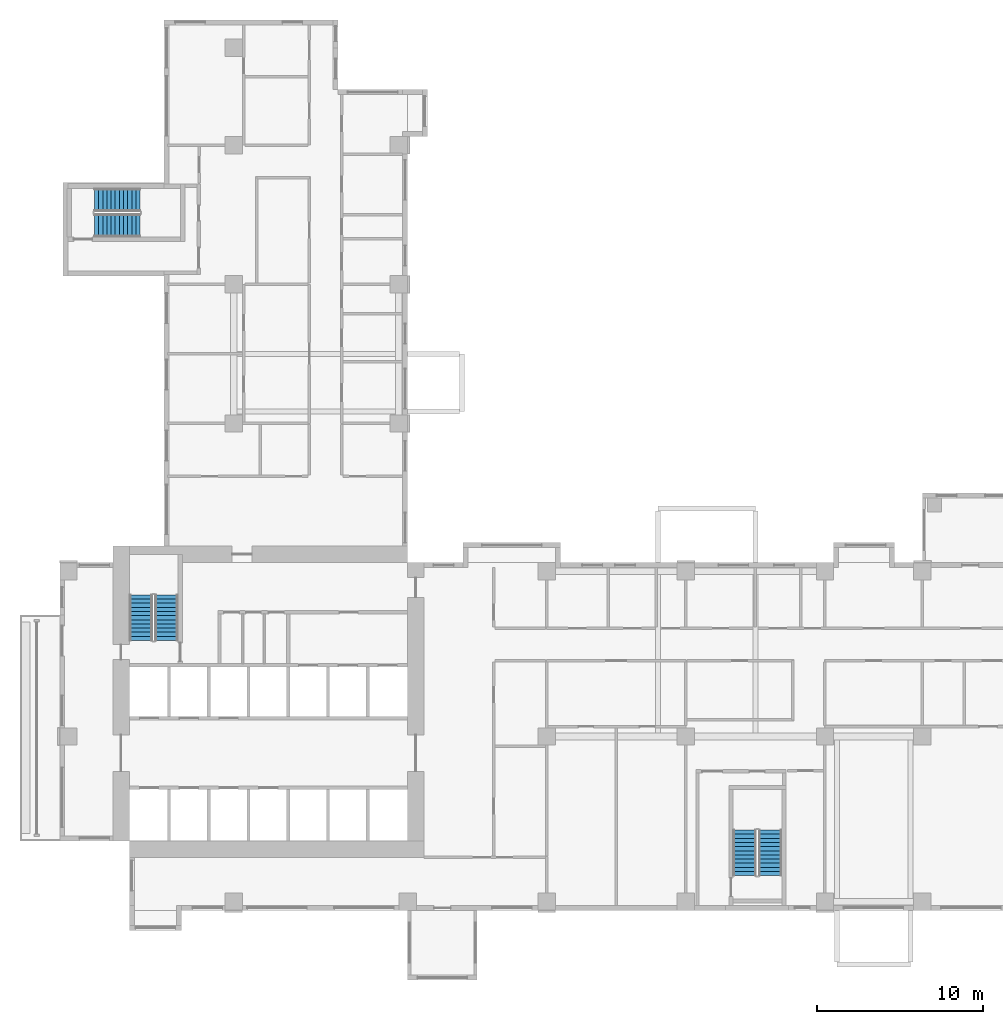
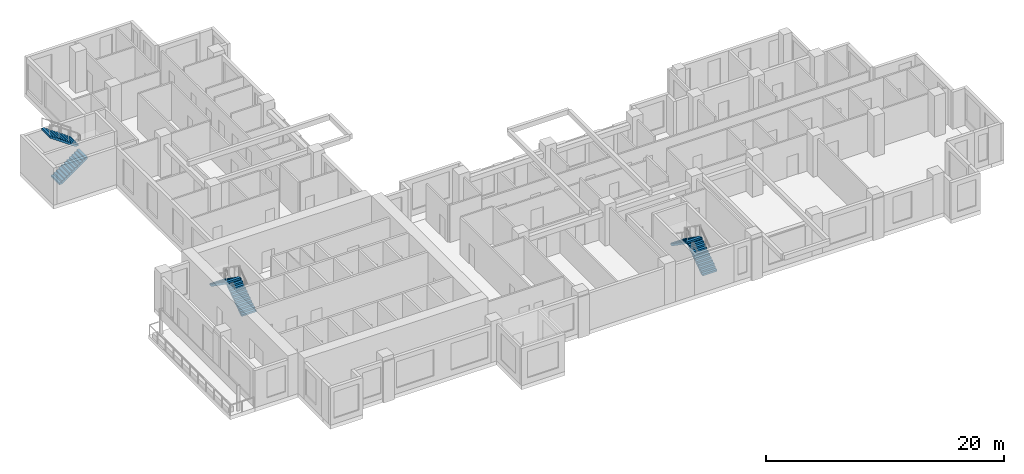
# One storey, part 9 of 14: 6 stair flights, 3 elements without a shape of their own.
"""IFC4 building model written with IfcOpenShell, lengths in metres."""

from ifc_helpers import new_model, si_unit, direction, frame, origin, place, context, subcontext, project, spatial, polyline, outline, extrude, source, transform, mapped, material, type_object, element, aggregate, save


model = new_model("IFC4")

# Units and contexts
model_context = context("Model", 3, precision=1e-05, world=origin(), true_north=direction((0.0, 1.0)))
body_context = subcontext(model_context, "Body", "Model", "MODEL_VIEW")
ifc_project = project(units=[si_unit("LENGTHUNIT", "METRE"), si_unit("AREAUNIT", "SQUARE_METRE"), si_unit("VOLUMEUNIT", "CUBIC_METRE"), si_unit("PLANEANGLEUNIT", "RADIAN"), si_unit("MASSUNIT", "GRAM", prefix="KILO")], contexts=[model_context])

# Site, building, storey
site_placement = place(None, origin())
site = spatial("IfcSite", under=ifc_project, at=site_placement, CompositionType="ELEMENT")
building_placement = place(site_placement, origin())
building = spatial("IfcBuilding", under=site, at=building_placement, Name="Aurelian Terraces", CompositionType="ELEMENT")
storey_placement = place(building_placement, frame((0.0, 0.0, 116.1)))
storey = spatial("IfcBuildingStorey", under=building, at=storey_placement, Name="L25", CompositionType="ELEMENT", Elevation=116.1)

# Stair, stair flights
ifc_material = material(Name="Concrete fc' 40 MPa", Category="concrete")
stair_type = type_object("IfcStairType", Name="Stair 1400", PredefinedType="HALF_TURN_STAIR", material=ifc_material)
stair_1_placement = place(storey_placement, origin())
stair_1 = element("IfcStair", 1, at=stair_1_placement, inside=storey, type_object=stair_type, Name="L25 S1", PredefinedType="HALF_TURN_STAIR")
stair_flight_type = type_object("IfcStairFlightType", Name="Stair flight 1400", PredefinedType="STRAIGHT", material=ifc_material)
shared_shape = source(origin(), body_context, "Body", "SweptSolid", [
    extrude(outline(polyline([(0.0, 0.0), (0.0, 0.175), (0.25, 0.175), (0.25, 0.35), (0.5, 0.35), (0.5, 0.525), (0.75, 0.525), (0.75, 0.7), (1.0, 0.7), (1.0, 0.875), (1.25, 0.875), (1.25, 1.05), (1.5, 1.05), (1.5, 1.225), (1.75, 1.225), (1.75, 1.4), (2.0, 1.4), (2.0, 1.575), (2.25, 1.575), (2.25, 1.75), (2.5, 1.75), (2.5, 1.925), (2.75, 1.925), (2.75, 2.1), (2.75, 1.7419), (0.2616, 0.0), (0.0, 0.0)])), frame((0.0, 0.7, 0.0), z_axis=(0.0, -1.0, 0.0), x_axis=(1.0, 0.0, 0.0)), (0.0, 0.0, 1.0), 1.4),
])
stair_flight_1_placement = place(storey_placement, frame((6.45, 16.3, 2e-08), z_axis=(0.0, 0.0, 1.0), x_axis=(0.0, 1.0, 0.0)))
stair_flight_1 = element("IfcStairFlight", 2, at=stair_flight_1_placement, type_object=stair_flight_type, Name="S1 flight 1", NumberOfRisers=12, NumberOfTreads=11, PredefinedType="STRAIGHT", RiserHeight=0.175, TreadLength=0.25, context=body_context, shape_type="MappedRepresentation", body=[
    mapped(shared_shape, transform((0.0, 0.0, 0.0), scale=1.0)),
])
stair_flight_2_placement = place(storey_placement, frame((4.9, 19.05, 2.1000000200000084), z_axis=(0.0, 0.0, 1.0), x_axis=(0.0, -1.0, 0.0)))
stair_flight_2 = element("IfcStairFlight", 3, at=stair_flight_2_placement, type_object=stair_flight_type, Name="S1 flight 2", NumberOfRisers=12, NumberOfTreads=11, PredefinedType="STRAIGHT", RiserHeight=0.175, TreadLength=0.25, context=body_context, shape_type="MappedRepresentation", body=[
    mapped(shared_shape, transform((0.0, 0.0, 0.0), scale=1.0)),
])
aggregate(stair_1, [stair_flight_1, stair_flight_2])

stair_2_placement = place(storey_placement, origin())
stair_2 = element("IfcStair", 4, at=stair_2_placement, inside=storey, type_object=stair_type, Name="L25 S2", PredefinedType="HALF_TURN_STAIR")
stair_flight_3_placement = place(storey_placement, frame((42.9, 2.1, 2e-08), z_axis=(0.0, 0.0, 1.0), x_axis=(0.0, 1.0, 0.0)))
stair_flight_3 = element("IfcStairFlight", 5, at=stair_flight_3_placement, type_object=stair_flight_type, Name="S2 flight 1", NumberOfRisers=12, NumberOfTreads=11, PredefinedType="STRAIGHT", RiserHeight=0.175, TreadLength=0.25, context=body_context, shape_type="MappedRepresentation", body=[
    mapped(shared_shape, transform((0.0, 0.0, 0.0), scale=1.0)),
])
stair_flight_4_placement = place(storey_placement, frame((41.35, 4.85, 2.1000000200000084), z_axis=(0.0, 0.0, 1.0), x_axis=(0.0, -1.0, 0.0)))
stair_flight_4 = element("IfcStairFlight", 6, at=stair_flight_4_placement, type_object=stair_flight_type, Name="S2 flight 2", NumberOfRisers=12, NumberOfTreads=11, PredefinedType="STRAIGHT", RiserHeight=0.175, TreadLength=0.25, context=body_context, shape_type="MappedRepresentation", body=[
    mapped(shared_shape, transform((0.0, 0.0, 0.0), scale=1.0)),
])
aggregate(stair_2, [stair_flight_3, stair_flight_4])

stair_3_placement = place(storey_placement, origin())
stair_3 = element("IfcStair", 7, at=stair_3_placement, inside=storey, type_object=stair_type, Name="L25 S3", PredefinedType="HALF_TURN_STAIR")
stair_flight_5_placement = place(storey_placement, frame((2.1, 41.35, 2e-08), z_axis=(0.0, 0.0, 1.0), x_axis=(1.0, 0.0, 0.0)))
stair_flight_5 = element("IfcStairFlight", 8, at=stair_flight_5_placement, type_object=stair_flight_type, Name="S3 flight 1", NumberOfRisers=12, NumberOfTreads=11, PredefinedType="STRAIGHT", RiserHeight=0.175, TreadLength=0.25, context=body_context, shape_type="MappedRepresentation", body=[
    mapped(shared_shape, transform((0.0, 0.0, 0.0), scale=1.0)),
])
stair_flight_6_placement = place(storey_placement, frame((4.85, 42.9, 2.1000000200000084), z_axis=(0.0, 0.0, 1.0), x_axis=(-1.0, 0.0, 0.0)))
stair_flight_6 = element("IfcStairFlight", 9, at=stair_flight_6_placement, type_object=stair_flight_type, Name="S3 flight 2", NumberOfRisers=12, NumberOfTreads=11, PredefinedType="STRAIGHT", RiserHeight=0.175, TreadLength=0.25, context=body_context, shape_type="MappedRepresentation", body=[
    mapped(shared_shape, transform((0.0, 0.0, 0.0), scale=1.0)),
])
aggregate(stair_3, [stair_flight_5, stair_flight_6])

save(model, "model.ifc")
